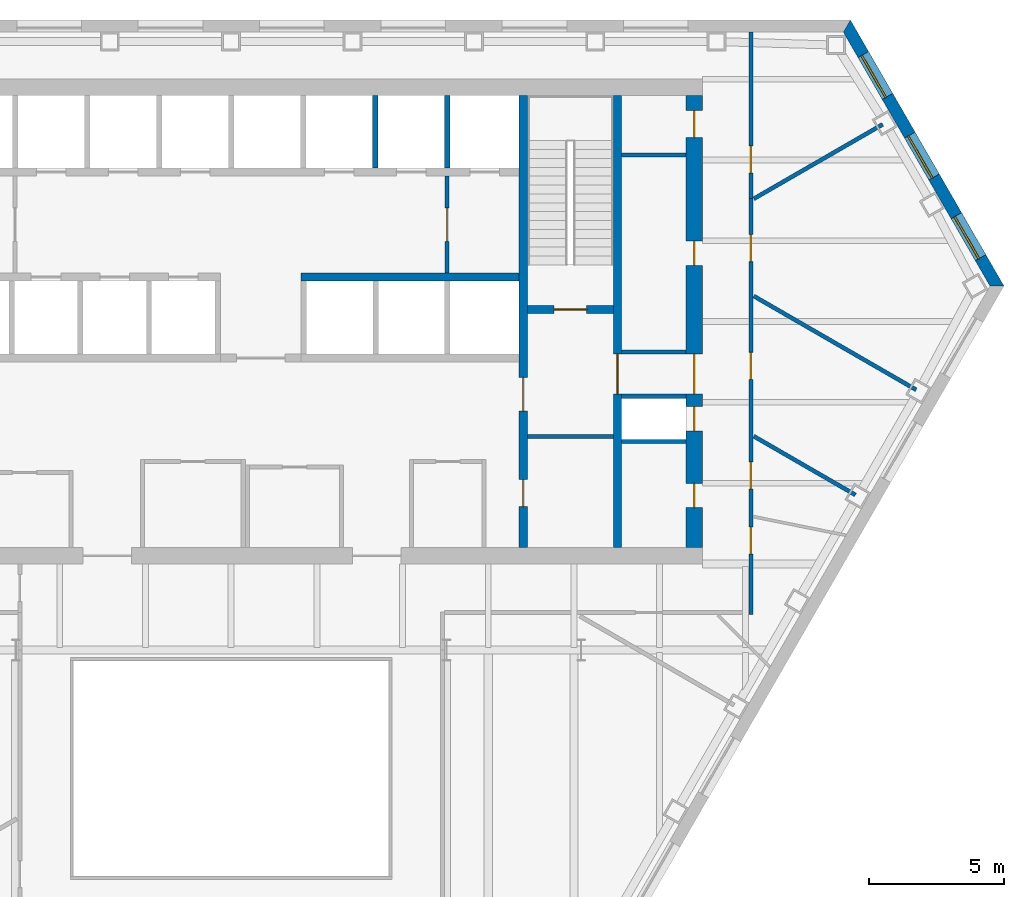
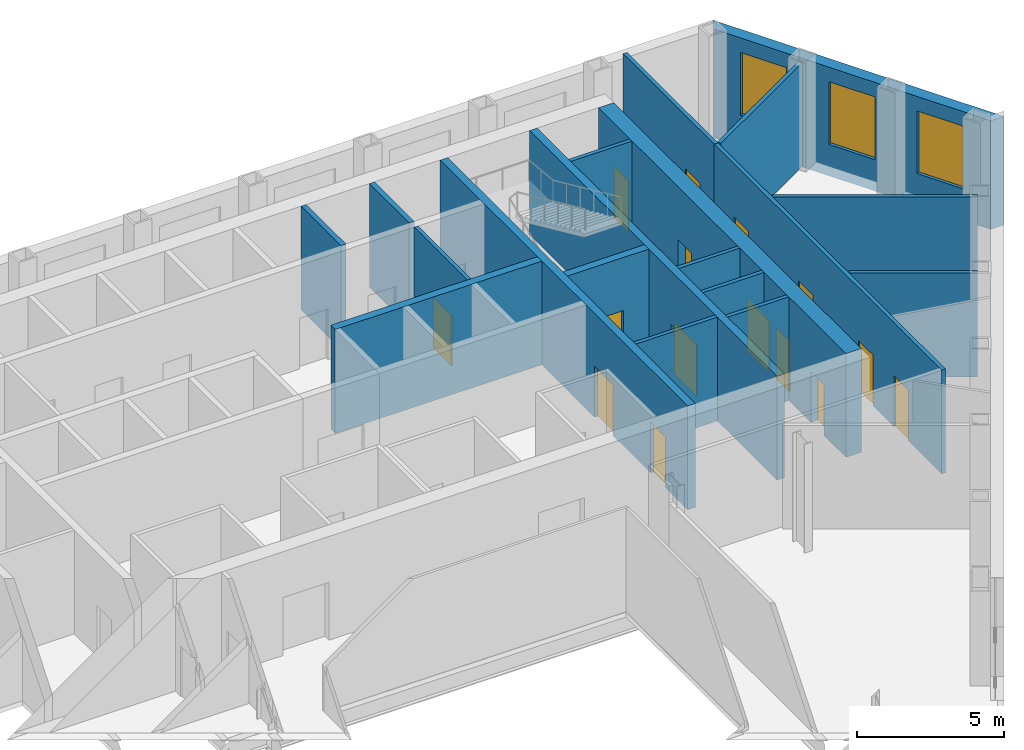
# One storey, part 7 of 10: 19 walls, 15 doors, 3 windows, 18 openings.
"""IFC4 building model written with IfcOpenShell, lengths in metres."""

from ifc_helpers import new_model, si_unit, direction, frame, frame_2d, origin, place, context, subcontext, project, spatial, polyline, rectangle, outline, extrude, material, layer, layer_set, type_object, element, fill, save


model = new_model("IFC4")

# Units and contexts
model_context = context("Model", 3, precision=1e-05, world=origin(), true_north=direction((0.0, 1.0)))
body_context = subcontext(model_context, "Body", "Model", "MODEL_VIEW")
ifc_project = project(units=[si_unit("LENGTHUNIT", "METRE"), si_unit("AREAUNIT", "SQUARE_METRE"), si_unit("VOLUMEUNIT", "CUBIC_METRE"), si_unit("PLANEANGLEUNIT", "RADIAN"), si_unit("MASSUNIT", "GRAM", prefix="KILO")], contexts=[model_context])

# Site, building, storey
site_placement = place(None, origin())
site = spatial("IfcSite", under=ifc_project, at=site_placement, CompositionType="ELEMENT")
building_placement = place(site_placement, origin())
building = spatial("IfcBuilding", under=site, at=building_placement, Name="Njiva Tower", CompositionType="ELEMENT")
storey_placement = place(building_placement, frame((0.0, 0.0, 55.8)))
storey = spatial("IfcBuildingStorey", under=building, at=storey_placement, Name="L11", CompositionType="ELEMENT", Elevation=55.8)

# Walls
ifc_material_1 = material(Name="Blockwork", Category="masonry")
ifc_layer_1 = layer(ifc_material_1, 0.15)
ifc_layer_set_1 = layer_set([ifc_layer_1], Name="Blockwork")
wall_type_1 = type_object("IfcWallType", Name="WT1 Compartment partition 150", PredefinedType="PARTITIONING", material=ifc_layer_set_1)
wall_1_placement = place(storey_placement, frame((11.0, 4.725, 0.0), z_axis=(0.0, 0.0, 1.0), x_axis=(1.0, 0.0, 0.0)))
element("IfcWall", 1, at=wall_1_placement, inside=storey, type_object=wall_type_1, Name="Room wall B", PredefinedType="PARTITIONING", context=body_context, shape_type="SweptSolid", body=[
    extrude(rectangle(XDim=3.2, YDim=0.15, at=frame_2d((1.6, 0.0))), origin(), (0.0, 0.0, 1.0), 4.3),
])
wall_2_placement = place(storey_placement, frame((14.5, 15.1914, 0.0), z_axis=(0.0, 0.0, 1.0), x_axis=(1.0, 0.0, 0.0)))
element("IfcWall", 2, at=wall_2_placement, inside=storey, type_object=wall_type_1, Name="Partition strip E10", PredefinedType="PARTITIONING", context=body_context, shape_type="SweptSolid", body=[
    extrude(rectangle(XDim=2.4, YDim=0.15, at=frame_2d((1.2, 0.0))), origin(), (0.0, 0.0, 1.0), 4.3),
])

# Wall, openings, doors
ifc_material_2 = material(Name="Concrete C40/50", Category="concrete")
ifc_layer_2 = layer(ifc_material_2, 0.3)
ifc_layer_set_2 = layer_set([ifc_layer_2], Name="Concrete C40/50")
wall_type_2 = type_object("IfcWallType", Name="WT10 Stair enclosure wall 300", PredefinedType="SHEAR", material=ifc_layer_set_2)
wall_3_placement = place(storey_placement, frame((10.85, 0.6, 0.0), z_axis=(0.0, 0.0, 1.0), x_axis=(0.0, 1.0, 0.0)))
wall_3 = element("IfcWall", 3, at=wall_3_placement, inside=storey, type_object=wall_type_2, Name="Stair wall east inner", PredefinedType="SHEAR", context=body_context, shape_type="SweptSolid", body=[
    extrude(rectangle(XDim=16.8, YDim=0.3, at=frame_2d((8.4, 0.0))), origin(), (0.0, 0.0, 1.0), 4.3),
])
opening_1_placement = place(wall_3_placement, frame((5.075, 0.0, 0.0)))
opening_1 = element("IfcOpeningElement", 4, at=opening_1_placement, cuts=wall_3, Name="Opening S03-D918", PredefinedType="OPENING", context=body_context, shape_type="SweptSolid", body=[
    extrude(rectangle(XDim=1.25, YDim=2.1, at=frame_2d((0.625, 1.05))), frame((0.0, 0.16, 0.0), z_axis=(0.0, -1.0, 0.0), x_axis=(1.0, 0.0, 0.0)), (0.0, 0.0, 1.0), 0.32),
])
opening_2_placement = place(wall_3_placement, frame((1.525, 0.0, 0.0)))
opening_2 = element("IfcOpeningElement", 5, at=opening_2_placement, cuts=wall_3, Name="Opening S03-D919", PredefinedType="OPENING", context=body_context, shape_type="SweptSolid", body=[
    extrude(rectangle(XDim=1.0, YDim=2.1, at=frame_2d((0.5, 1.05))), frame((0.0, 0.16, 0.0), z_axis=(0.0, -1.0, 0.0), x_axis=(1.0, 0.0, 0.0)), (0.0, 0.0, 1.0), 0.32),
])
ifc_material_3 = material(Name="Steel door, painted", Category="steel")
door_type_1 = type_object("IfcDoorType", Name="D5 Steel door 1000x2100", OperationType="SINGLE_SWING_LEFT", PredefinedType="DOOR", material=ifc_material_3)
door_1_placement = place(opening_2_placement, origin())
door_1 = element("IfcDoor", 6, at=door_1_placement, inside=storey, type_object=door_type_1, Name="Reading room door", OperationType="SINGLE_SWING_LEFT", OverallHeight=2.1, OverallWidth=1.0, PredefinedType="DOOR", context=body_context, shape_type="SweptSolid", body=[
    extrude(rectangle(XDim=1.0, YDim=2.1, at=frame_2d((0.5, 1.05))), frame((0.0, 0.025, 0.0), z_axis=(0.0, -1.0, 0.0), x_axis=(1.0, 0.0, 0.0)), (0.0, 0.0, 1.0), 0.05),
])
fill(opening_2, door_1)
ifc_material_4 = material(Name="Glazed steel fire door", Category="steel")
door_type_2 = type_object("IfcDoorType", Name="D8 Vestibule corridor door 1250x2100 glazed", OperationType="SINGLE_SWING_LEFT", PredefinedType="DOOR", material=ifc_material_4)
door_2_placement = place(opening_1_placement, origin())
door_2 = element("IfcDoor", 7, at=door_2_placement, inside=storey, type_object=door_type_2, Name="Stair vestibule corridor door", OperationType="SINGLE_SWING_RIGHT", OverallHeight=2.1, OverallWidth=1.25, PredefinedType="DOOR", context=body_context, shape_type="SweptSolid", body=[
    extrude(rectangle(XDim=1.25, YDim=2.1, at=frame_2d((0.625, 1.05))), frame((0.0, 0.025, 0.0), z_axis=(0.0, -1.0, 0.0), x_axis=(1.0, 0.0, 0.0)), (0.0, 0.0, 1.0), 0.05),
])
fill(opening_1, door_2)

# Wall, opening, door
wall_4_placement = place(storey_placement, frame((14.35, 0.6, 0.0), z_axis=(0.0, 0.0, 1.0), x_axis=(0.0, 1.0, 0.0)))
wall_4 = element("IfcWall", 8, at=wall_4_placement, inside=storey, type_object=wall_type_2, Name="Stair wall east outer", PredefinedType="SHEAR", context=body_context, shape_type="SweptSolid", body=[
    extrude(rectangle(XDim=16.8, YDim=0.3, at=frame_2d((8.4, 0.0))), origin(), (0.0, 0.0, 1.0), 4.3),
])
opening_3_placement = place(wall_4_placement, frame((5.7, 0.0, 0.0)))
opening_3 = element("IfcOpeningElement", 9, at=opening_3_placement, cuts=wall_4, Name="Opening S03-D926", PredefinedType="OPENING", context=body_context, shape_type="SweptSolid", body=[
    extrude(rectangle(XDim=1.5, YDim=2.1, at=frame_2d((0.75, 1.05))), frame((0.0, 0.16, 0.0), z_axis=(0.0, -1.0, 0.0), x_axis=(1.0, 0.0, 0.0)), (0.0, 0.0, 1.0), 0.32),
])
door_type_3 = type_object("IfcDoorType", Name="D10 Exit door double 1500x2100 glazed", OperationType="DOUBLE_DOOR_SINGLE_SWING", PredefinedType="DOOR", material=ifc_material_4)
door_3_placement = place(opening_3_placement, origin())
door_3 = element("IfcDoor", 10, at=door_3_placement, inside=storey, type_object=door_type_3, Name="Stair B passage door", OperationType="DOUBLE_DOOR_SINGLE_SWING", OverallHeight=2.1, OverallWidth=1.5, PredefinedType="DOOR", context=body_context, shape_type="SweptSolid", body=[
    extrude(rectangle(XDim=1.5, YDim=2.1, at=frame_2d((0.75, 1.05))), frame((0.0, 0.025, 0.0), z_axis=(0.0, -1.0, 0.0), x_axis=(1.0, 0.0, 0.0)), (0.0, 0.0, 1.0), 0.05),
])
fill(opening_3, door_3)

wall_5_placement = place(storey_placement, frame((11.0, 9.45, 0.0), z_axis=(0.0, 0.0, 1.0), x_axis=(1.0, 0.0, 0.0)))
wall_5 = element("IfcWall", 11, at=wall_5_placement, inside=storey, type_object=wall_type_2, Name="Stair B south wall", PredefinedType="SHEAR", context=body_context, shape_type="SweptSolid", body=[
    extrude(rectangle(XDim=3.2, YDim=0.3, at=frame_2d((1.6, 0.0))), origin(), (0.0, 0.0, 1.0), 4.3),
])
opening_4_placement = place(wall_5_placement, frame((1.0, 0.0, 0.0)))
opening_4 = element("IfcOpeningElement", 12, at=opening_4_placement, cuts=wall_5, Name="Opening S03-D917", PredefinedType="OPENING", context=body_context, shape_type="SweptSolid", body=[
    extrude(rectangle(XDim=1.2, YDim=2.1, at=frame_2d((0.6, 1.05))), frame((0.0, 0.16, 0.0), z_axis=(0.0, -1.0, 0.0), x_axis=(1.0, 0.0, 0.0)), (0.0, 0.0, 1.0), 0.32),
])
door_type_4 = type_object("IfcDoorType", Name="D7 Stair vestibule door 1200x2100 glazed", OperationType="SINGLE_SWING_LEFT", PredefinedType="DOOR", material=ifc_material_4)
door_4_placement = place(opening_4_placement, origin())
door_4 = element("IfcDoor", 13, at=door_4_placement, inside=storey, type_object=door_type_4, Name="Stair B door", OperationType="SINGLE_SWING_LEFT", OverallHeight=2.1, OverallWidth=1.2, PredefinedType="DOOR", context=body_context, shape_type="SweptSolid", body=[
    extrude(rectangle(XDim=1.2, YDim=2.1, at=frame_2d((0.6, 1.05))), frame((0.0, 0.025, 0.0), z_axis=(0.0, -1.0, 0.0), x_axis=(1.0, 0.0, 0.0)), (0.0, 0.0, 1.0), 0.05),
])
fill(opening_4, door_4)

# Wall, openings, doors
ifc_material_5 = material(Name="Concrete C60/75", Category="concrete")
ifc_layer_3 = layer(ifc_material_5, 0.6)
ifc_layer_set_3 = layer_set([ifc_layer_3], Name="Concrete C60/75")
wall_type_3 = type_object("IfcWallType", Name="WT15 Core wall 600", PredefinedType="SHEAR", material=ifc_layer_set_3)
wall_6_placement = place(storey_placement, frame((17.2, 0.6, 0.0), z_axis=(0.0, 0.0, 1.0), x_axis=(0.0, 1.0, 0.0)))
wall_6 = element("IfcWall", 14, at=wall_6_placement, inside=storey, type_object=wall_type_3, Name="Core wall east", PredefinedType="SHEAR", context=body_context, shape_type="SweptSolid", body=[
    extrude(rectangle(XDim=16.8, YDim=0.6, at=frame_2d((8.4, 0.0))), origin(), (0.0, 0.0, 1.0), 4.3),
])
opening_5_placement = place(wall_6_placement, frame((5.7, 0.0, 0.0)))
opening_5 = element("IfcOpeningElement", 15, at=opening_5_placement, cuts=wall_6, Name="Opening S03-D927", PredefinedType="OPENING", context=body_context, shape_type="SweptSolid", body=[
    extrude(rectangle(XDim=1.5, YDim=2.1, at=frame_2d((0.75, 1.05))), frame((0.0, 0.31, 0.0), z_axis=(0.0, -1.0, 0.0), x_axis=(1.0, 0.0, 0.0)), (0.0, 0.0, 1.0), 0.62),
])
opening_6_placement = place(wall_6_placement, frame((1.4885, 0.0, 0.0)))
opening_6 = element("IfcOpeningElement", 16, at=opening_6_placement, cuts=wall_6, Name="Opening S03-D928", PredefinedType="OPENING", context=body_context, shape_type="SweptSolid", body=[
    extrude(rectangle(XDim=0.9, YDim=2.1, at=frame_2d((0.45, 1.05))), frame((0.0, 0.31, 0.0), z_axis=(0.0, -1.0, 0.0), x_axis=(1.0, 0.0, 0.0)), (0.0, 0.0, 1.0), 0.62),
])
opening_7_placement = place(wall_6_placement, frame((4.3385, 0.0, 0.0)))
opening_7 = element("IfcOpeningElement", 17, at=opening_7_placement, cuts=wall_6, Name="Opening S03-D929", PredefinedType="OPENING", context=body_context, shape_type="SweptSolid", body=[
    extrude(rectangle(XDim=0.9, YDim=2.1, at=frame_2d((0.45, 1.05))), frame((0.0, 0.31, 0.0), z_axis=(0.0, -1.0, 0.0), x_axis=(1.0, 0.0, 0.0)), (0.0, 0.0, 1.0), 0.62),
])
opening_8_placement = place(wall_6_placement, frame((10.4832, 0.0, 0.0)))
opening_8 = element("IfcOpeningElement", 18, at=opening_8_placement, cuts=wall_6, Name="Opening S03-D930", PredefinedType="OPENING", context=body_context, shape_type="SweptSolid", body=[
    extrude(rectangle(XDim=0.9, YDim=2.1, at=frame_2d((0.45, 1.05))), frame((0.0, 0.31, 0.0), z_axis=(0.0, -1.0, 0.0), x_axis=(1.0, 0.0, 0.0)), (0.0, 0.0, 1.0), 0.62),
])
opening_9_placement = place(wall_6_placement, frame((15.2332, 0.0, 0.0)))
opening_9 = element("IfcOpeningElement", 19, at=opening_9_placement, cuts=wall_6, Name="Opening S03-D931", PredefinedType="OPENING", context=body_context, shape_type="SweptSolid", body=[
    extrude(rectangle(XDim=1.0, YDim=2.1, at=frame_2d((0.5, 1.05))), frame((0.0, 0.31, 0.0), z_axis=(0.0, -1.0, 0.0), x_axis=(1.0, 0.0, 0.0)), (0.0, 0.0, 1.0), 0.62),
])
door_5_placement = place(opening_5_placement, origin())
door_5 = element("IfcDoor", 20, at=door_5_placement, inside=storey, type_object=door_type_3, Name="Stair B corridor door", OperationType="DOUBLE_DOOR_SINGLE_SWING", OverallHeight=2.1, OverallWidth=1.5, PredefinedType="DOOR", context=body_context, shape_type="SweptSolid", body=[
    extrude(rectangle(XDim=1.5, YDim=2.1, at=frame_2d((0.75, 1.05))), frame((0.0, 0.025, 0.0), z_axis=(0.0, -1.0, 0.0), x_axis=(1.0, 0.0, 0.0)), (0.0, 0.0, 1.0), 0.05),
])
fill(opening_5, door_5)
door_type_5 = type_object("IfcDoorType", Name="D4 Riser door 900x2100", OperationType="SINGLE_SWING_LEFT", PredefinedType="DOOR", material=ifc_material_3)
door_6_placement = place(opening_7_placement, origin())
door_6 = element("IfcDoor", 21, at=door_6_placement, inside=storey, type_object=door_type_5, Name="Riser door", OperationType="SINGLE_SWING_LEFT", OverallHeight=2.1, OverallWidth=0.9, PredefinedType="DOOR", context=body_context, shape_type="SweptSolid", body=[
    extrude(rectangle(XDim=0.9, YDim=2.1, at=frame_2d((0.45, 1.05))), frame((0.0, 0.025, 0.0), z_axis=(0.0, -1.0, 0.0), x_axis=(1.0, 0.0, 0.0)), (0.0, 0.0, 1.0), 0.05),
])
fill(opening_7, door_6)
door_7_placement = place(opening_9_placement, origin())
door_7 = element("IfcDoor", 22, at=door_7_placement, inside=storey, type_object=door_type_1, Name="Telecoms room door", OperationType="SINGLE_SWING_LEFT", OverallHeight=2.1, OverallWidth=1.0, PredefinedType="DOOR", context=body_context, shape_type="SweptSolid", body=[
    extrude(rectangle(XDim=1.0, YDim=2.1, at=frame_2d((0.5, 1.05))), frame((0.0, 0.025, 0.0), z_axis=(0.0, -1.0, 0.0), x_axis=(1.0, 0.0, 0.0)), (0.0, 0.0, 1.0), 0.05),
])
fill(opening_9, door_7)
ifc_material_6 = material(Name="Steel fire door, painted", Category="steel")
door_type_6 = type_object("IfcDoorType", Name="D6 Fire-rated door 900x2100", OperationType="SINGLE_SWING_LEFT", PredefinedType="DOOR", material=ifc_material_6)
door_8_placement = place(opening_6_placement, origin())
door_8 = element("IfcDoor", 23, at=door_8_placement, inside=storey, type_object=door_type_6, Name="Reading room door", OperationType="SINGLE_SWING_RIGHT", OverallHeight=2.1, OverallWidth=0.9, PredefinedType="DOOR", context=body_context, shape_type="SweptSolid", body=[
    extrude(rectangle(XDim=0.9, YDim=2.1, at=frame_2d((0.45, 1.05))), frame((0.0, 0.025, 0.0), z_axis=(0.0, -1.0, 0.0), x_axis=(1.0, 0.0, 0.0)), (0.0, 0.0, 1.0), 0.05),
])
fill(opening_6, door_8)
door_9_placement = place(opening_8_placement, origin())
door_9 = element("IfcDoor", 24, at=door_9_placement, inside=storey, type_object=door_type_6, Name="Tenant centre door", OperationType="SINGLE_SWING_LEFT", OverallHeight=2.1, OverallWidth=0.9, PredefinedType="DOOR", context=body_context, shape_type="SweptSolid", body=[
    extrude(rectangle(XDim=0.9, YDim=2.1, at=frame_2d((0.45, 1.05))), frame((0.0, 0.025, 0.0), z_axis=(0.0, -1.0, 0.0), x_axis=(1.0, 0.0, 0.0)), (0.0, 0.0, 1.0), 0.05),
])
fill(opening_8, door_9)

# Wall, opening, door
ifc_layer_4 = layer(ifc_material_1, 0.15)
ifc_layer_set_4 = layer_set([ifc_layer_4], Name="Blockwork")
wall_type_4 = type_object("IfcWallType", Name="WT2 Lobby partition 150", PredefinedType="PARTITIONING", material=ifc_layer_set_4)
wall_7_placement = place(storey_placement, frame((8.025, 10.8, 0.0), z_axis=(0.0, 0.0, 1.0), x_axis=(0.0, 1.0, 0.0)))
wall_7 = element("IfcWall", 25, at=wall_7_placement, inside=storey, type_object=wall_type_4, Name="Firefighting lobby wall B", PredefinedType="PARTITIONING", context=body_context, shape_type="SweptSolid", body=[
    extrude(rectangle(XDim=3.6, YDim=0.15, at=frame_2d((1.8, 0.0))), origin(), (0.0, 0.0, 1.0), 4.3),
])
opening_10_placement = place(wall_7_placement, frame((1.175, 0.0, 0.0)))
opening_10 = element("IfcOpeningElement", 26, at=opening_10_placement, cuts=wall_7, Name="Opening S03-D916", PredefinedType="OPENING", context=body_context, shape_type="SweptSolid", body=[
    extrude(rectangle(XDim=1.25, YDim=2.1, at=frame_2d((0.625, 1.05))), frame((0.0, 0.085, 0.0), z_axis=(0.0, -1.0, 0.0), x_axis=(1.0, 0.0, 0.0)), (0.0, 0.0, 1.0), 0.17),
])
door_10_placement = place(opening_10_placement, origin())
door_10 = element("IfcDoor", 27, at=door_10_placement, inside=storey, type_object=door_type_2, Name="Stair vestibule corridor door", OperationType="SINGLE_SWING_LEFT", OverallHeight=2.1, OverallWidth=1.25, PredefinedType="DOOR", context=body_context, shape_type="SweptSolid", body=[
    extrude(rectangle(XDim=1.25, YDim=2.1, at=frame_2d((0.625, 1.05))), frame((0.0, 0.025, 0.0), z_axis=(0.0, -1.0, 0.0), x_axis=(1.0, 0.0, 0.0)), (0.0, 0.0, 1.0), 0.05),
])
fill(opening_10, door_10)

# Wall, openings, doors
ifc_material_7 = material(Name="Gypsum board on steel studs", Category="gypsum")
ifc_layer_5 = layer(ifc_material_7, 0.15)
ifc_layer_set_5 = layer_set([ifc_layer_5], Name="Gypsum board on steel studs")
wall_type_5 = type_object("IfcWallType", Name="WT21 Compartment wall 150", PredefinedType="PARTITIONING", material=ifc_layer_set_5)
wall_8_placement = place(storey_placement, frame((19.3, -1.875, 0.0), z_axis=(0.0, 0.0, 1.0), x_axis=(6.4750065e-05, 0.999999997904, 0.0)))
wall_8 = element("IfcWall", 28, at=wall_8_placement, inside=storey, type_object=wall_type_5, Name="Partition S03-P016", PredefinedType="PARTITIONING", context=body_context, shape_type="SweptSolid", body=[
    extrude(rectangle(XDim=15.444, YDim=0.15, at=frame_2d((7.722, 0.0))), origin(), (0.0, 0.0, 1.0), 4.3),
])
opening_11_placement = place(wall_8_placement, frame((2.242, 0.0, 0.0)))
opening_11 = element("IfcOpeningElement", 29, at=opening_11_placement, cuts=wall_8, Name="Opening S03-D009", PredefinedType="OPENING", context=body_context, shape_type="SweptSolid", body=[
    extrude(rectangle(XDim=1.0, YDim=2.1, at=frame_2d((0.5, 1.05))), frame((0.0, 0.085, 0.0), z_axis=(0.0, -1.0, 0.0), x_axis=(1.0, 0.0, 0.0)), (0.0, 0.0, 1.0), 0.17),
])
opening_12_placement = place(wall_8_placement, frame((4.664, 0.0, 0.0)))
opening_12 = element("IfcOpeningElement", 30, at=opening_12_placement, cuts=wall_8, Name="Opening S03-D010", PredefinedType="OPENING", context=body_context, shape_type="SweptSolid", body=[
    extrude(rectangle(XDim=1.0, YDim=2.1, at=frame_2d((0.5, 1.05))), frame((0.0, 0.085, 0.0), z_axis=(0.0, -1.0, 0.0), x_axis=(1.0, 0.0, 0.0)), (0.0, 0.0, 1.0), 0.17),
])
opening_13_placement = place(wall_8_placement, frame((8.732, 0.0, 0.0)))
opening_13 = element("IfcOpeningElement", 31, at=opening_13_placement, cuts=wall_8, Name="Opening S03-D011", PredefinedType="OPENING", context=body_context, shape_type="SweptSolid", body=[
    extrude(rectangle(XDim=1.0, YDim=2.1, at=frame_2d((0.5, 1.05))), frame((0.0, 0.085, 0.0), z_axis=(0.0, -1.0, 0.0), x_axis=(1.0, 0.0, 0.0)), (0.0, 0.0, 1.0), 0.17),
])
opening_14_placement = place(wall_8_placement, frame((13.102, 0.0, 0.0)))
opening_14 = element("IfcOpeningElement", 32, at=opening_14_placement, cuts=wall_8, Name="Opening S03-D012", PredefinedType="OPENING", context=body_context, shape_type="SweptSolid", body=[
    extrude(rectangle(XDim=1.0, YDim=2.1, at=frame_2d((0.5, 1.05))), frame((0.0, 0.085, 0.0), z_axis=(0.0, -1.0, 0.0), x_axis=(1.0, 0.0, 0.0)), (0.0, 0.0, 1.0), 0.17),
])
ifc_material_8 = material(Name="Steel fire door set", Category="steel")
door_type_7 = type_object("IfcDoorType", Name="D37 Fire door 1000x2100", OperationType="SINGLE_SWING_LEFT", PredefinedType="DOOR", material=ifc_material_8)
door_11_placement = place(opening_11_placement, origin())
door_11 = element("IfcDoor", 33, at=door_11_placement, inside=storey, type_object=door_type_7, Name="Door S03-D009", OperationType="SINGLE_SWING_LEFT", OverallHeight=2.1, OverallWidth=1.0, PredefinedType="DOOR", context=body_context, shape_type="SweptSolid", body=[
    extrude(rectangle(XDim=1.0, YDim=2.1, at=frame_2d((0.5, 1.05))), frame((0.0, 0.025, 0.0), z_axis=(0.0, -1.0, 0.0), x_axis=(1.0, 0.0, 0.0)), (0.0, 0.0, 1.0), 0.05),
])
fill(opening_11, door_11)
door_12_placement = place(opening_12_placement, origin())
door_12 = element("IfcDoor", 34, at=door_12_placement, inside=storey, type_object=door_type_7, Name="Door S03-D010", OperationType="SINGLE_SWING_LEFT", OverallHeight=2.1, OverallWidth=1.0, PredefinedType="DOOR", context=body_context, shape_type="SweptSolid", body=[
    extrude(rectangle(XDim=1.0, YDim=2.1, at=frame_2d((0.5, 1.05))), frame((0.0, 0.025, 0.0), z_axis=(0.0, -1.0, 0.0), x_axis=(1.0, 0.0, 0.0)), (0.0, 0.0, 1.0), 0.05),
])
fill(opening_12, door_12)
door_13_placement = place(opening_13_placement, origin())
door_13 = element("IfcDoor", 35, at=door_13_placement, inside=storey, type_object=door_type_7, Name="Door S03-D011", OperationType="SINGLE_SWING_RIGHT", OverallHeight=2.1, OverallWidth=1.0, PredefinedType="DOOR", context=body_context, shape_type="SweptSolid", body=[
    extrude(rectangle(XDim=1.0, YDim=2.1, at=frame_2d((0.5, 1.05))), frame((0.0, 0.025, 0.0), z_axis=(0.0, -1.0, 0.0), x_axis=(1.0, 0.0, 0.0)), (0.0, 0.0, 1.0), 0.05),
])
fill(opening_13, door_13)
door_14_placement = place(opening_14_placement, origin())
door_14 = element("IfcDoor", 36, at=door_14_placement, inside=storey, type_object=door_type_7, Name="Door S03-D012", OperationType="SINGLE_SWING_RIGHT", OverallHeight=2.1, OverallWidth=1.0, PredefinedType="DOOR", context=body_context, shape_type="SweptSolid", body=[
    extrude(rectangle(XDim=1.0, YDim=2.1, at=frame_2d((0.5, 1.05))), frame((0.0, 0.025, 0.0), z_axis=(0.0, -1.0, 0.0), x_axis=(1.0, 0.0, 0.0)), (0.0, 0.0, 1.0), 0.05),
])
fill(opening_14, door_14)

# Wall, opening, door
wall_9_placement = place(storey_placement, frame((19.3, 19.749, 0.0), z_axis=(0.0, 0.0, 1.0), x_axis=(0.000161812296, -0.999999986908, 0.0)))
wall_9 = element("IfcWall", 37, at=wall_9_placement, inside=storey, type_object=wall_type_5, Name="Partition S03-P017", PredefinedType="PARTITIONING", context=body_context, shape_type="SweptSolid", body=[
    extrude(rectangle(XDim=6.18, YDim=0.15, at=frame_2d((3.09, 0.0))), origin(), (0.0, 0.0, 1.0), 4.3),
])
opening_15_placement = place(wall_9_placement, frame((4.225, 0.0, 0.0)))
opening_15 = element("IfcOpeningElement", 38, at=opening_15_placement, cuts=wall_9, Name="Opening S03-D013", PredefinedType="OPENING", context=body_context, shape_type="SweptSolid", body=[
    extrude(rectangle(XDim=1.0, YDim=2.1, at=frame_2d((0.5, 1.05))), frame((0.0, 0.085, 0.0), z_axis=(0.0, -1.0, 0.0), x_axis=(1.0, 0.0, 0.0)), (0.0, 0.0, 1.0), 0.17),
])
door_15_placement = place(opening_15_placement, origin())
door_15 = element("IfcDoor", 39, at=door_15_placement, inside=storey, type_object=door_type_7, Name="Door S03-D013", OperationType="SINGLE_SWING_LEFT", OverallHeight=2.1, OverallWidth=1.0, PredefinedType="DOOR", context=body_context, shape_type="SweptSolid", body=[
    extrude(rectangle(XDim=1.0, YDim=2.1, at=frame_2d((0.5, 1.05))), frame((0.0, 0.025, 0.0), z_axis=(0.0, -1.0, 0.0), x_axis=(1.0, 0.0, 0.0)), (0.0, 0.0, 1.0), 0.05),
])
fill(opening_15, door_15)

# Walls
wall_10_placement = place(storey_placement, frame((19.413, 4.74, 0.0), z_axis=(0.0, 0.0, 1.0), x_axis=(0.866017446268, -0.50001378257, 0.0)))
element("IfcWall", 40, at=wall_10_placement, inside=storey, type_object=wall_type_5, Name="Partition S03-P019", PredefinedType="PARTITIONING", context=body_context, shape_type="SweptSolid", body=[
    extrude(rectangle(XDim=4.3579, YDim=0.15, at=frame_2d((2.179, 0.0))), origin(), (0.0, 0.0, 1.0), 4.3),
])
wall_11_placement = place(storey_placement, frame((19.413, 9.946, 0.0), z_axis=(0.0, 0.0, 1.0), x_axis=(0.866042039906, -0.499971184285, 0.0)))
element("IfcWall", 41, at=wall_11_placement, inside=storey, type_object=wall_type_5, Name="Partition S03-P020", PredefinedType="PARTITIONING", context=body_context, shape_type="SweptSolid", body=[
    extrude(rectangle(XDim=6.9604, YDim=0.15, at=frame_2d((3.4802, 0.0))), origin(), (0.0, 0.0, 1.0), 4.3),
])
wall_12_placement = place(storey_placement, frame((19.413, 13.56, 0.0), z_axis=(0.0, 0.0, 1.0), x_axis=(0.866040948072, 0.499973075538, 0.0)))
element("IfcWall", 42, at=wall_12_placement, inside=storey, type_object=wall_type_5, Name="Partition S03-P021", PredefinedType="PARTITIONING", context=body_context, shape_type="SweptSolid", body=[
    extrude(rectangle(XDim=5.5263, YDim=0.15, at=frame_2d((2.7632, 0.0))), origin(), (0.0, 0.0, 1.0), 4.3),
])
ifc_layer_6 = layer(ifc_material_1, 0.15)
ifc_layer_set_6 = layer_set([ifc_layer_6], Name="Blockwork")
wall_type_6 = type_object("IfcWallType", Name="WT3 Riser partition 150", PredefinedType="PARTITIONING", material=ifc_layer_set_6)
wall_13_placement = place(storey_placement, frame((14.5, 4.5519, 0.0), z_axis=(0.0, 0.0, 1.0), x_axis=(1.0, 0.0, 0.0)))
element("IfcWall", 43, at=wall_13_placement, inside=storey, type_object=wall_type_6, Name="Partition strip E00", PredefinedType="PARTITIONING", context=body_context, shape_type="SweptSolid", body=[
    extrude(rectangle(XDim=2.4, YDim=0.15, at=frame_2d((1.2, 0.0))), origin(), (0.0, 0.0, 1.0), 4.3),
])
ifc_layer_7 = layer(ifc_material_1, 0.15)
ifc_layer_set_7 = layer_set([ifc_layer_7], Name="Blockwork")
wall_type_7 = type_object("IfcWallType", Name="WT4 Stair partition 150", PredefinedType="PARTITIONING", material=ifc_layer_set_7)
for number, where, z_axis, x_axis, name in (
    (44, (14.5, 6.225, 0.0), (0.0, 0.0, 1.0), (1.0, 0.0, 0.0), "Stair B exit passage wall south"),
    (45, (14.5, 7.875, 0.0), (0.0, 0.0, 1.0), (1.0, 0.0, 0.0), "Stair B exit passage wall north"),
):
    element("IfcWall", number, at=place(storey_placement, frame(where, z_axis=z_axis, x_axis=x_axis)), inside=storey, type_object=wall_type_7, Name=name, PredefinedType="PARTITIONING", context=body_context, shape_type="SweptSolid", body=[
        extrude(rectangle(XDim=2.4, YDim=0.15, at=frame_2d((1.2, 0.0))), origin(), (0.0, 0.0, 1.0), 4.3),
    ])
ifc_layer_8 = layer(ifc_material_2, 0.2)
ifc_layer_set_8 = layer_set([ifc_layer_8], Name="Concrete C40/50")
wall_type_8 = type_object("IfcWallType", Name="WT6 Lift shaft wall 200", PredefinedType="SHEAR", material=ifc_layer_set_8)
for number, where, z_axis, x_axis, name in (
    (46, (5.35, 14.7, 0.0), (0.0, 0.0, 1.0), (0.0, 1.0, 0.0), "Shaft wall CN6"),
    (47, (8.025, 14.7, 0.0), (0.0, 0.0, 1.0), (0.0, 1.0, 0.0), "Shaft wall CN7"),
):
    element("IfcWall", number, at=place(storey_placement, frame(where, z_axis=z_axis, x_axis=x_axis)), inside=storey, type_object=wall_type_8, Name=name, PredefinedType="SHEAR", context=body_context, shape_type="SweptSolid", body=[
        extrude(rectangle(XDim=2.7, YDim=0.2, at=frame_2d((1.35, 0.0))), origin(), (0.0, 0.0, 1.0), 4.3),
    ])
ifc_layer_9 = layer(ifc_material_2, 0.3)
ifc_layer_set_9 = layer_set([ifc_layer_9], Name="Concrete C40/50")
wall_type_9 = type_object("IfcWallType", Name="WT7 Lift shaft wall 300", PredefinedType="SHEAR", material=ifc_layer_set_9)
wall_14_placement = place(storey_placement, frame((2.6, 10.65, 0.0), z_axis=(0.0, 0.0, 1.0), x_axis=(1.0, 0.0, 0.0)))
element("IfcWall", 48, at=wall_14_placement, inside=storey, type_object=wall_type_9, Name="Shaft wall south row lobby side E", PredefinedType="SHEAR", context=body_context, shape_type="SweptSolid", body=[
    extrude(rectangle(XDim=8.1, YDim=0.3, at=frame_2d((4.05, 0.0))), origin(), (0.0, 0.0, 1.0), 4.3),
])

# Wall, openings, windows
ifc_material_9 = material(Name="Brick masonry, buff", Category="masonry")
ifc_layer_10 = layer(ifc_material_9, 0.45)
ifc_layer_set_10 = layer_set([ifc_layer_10], Name="Brick masonry, buff")
wall_type_10 = type_object("IfcWallType", Name="WT94 Brick pier and spandrel wall 450, buff", PredefinedType="SOLIDWALL", material=ifc_layer_set_10)
wall_15_placement = place(storey_placement, frame((28.4452, 10.3187, -0.4), z_axis=(0.0, 0.0, 1.0), x_axis=(-0.500002192499, 0.866024137941, 0.0)))
wall_15 = element("IfcWall", 49, at=wall_15_placement, inside=storey, type_object=wall_type_10, Name="Facade wall NE", PredefinedType="SOLIDWALL", context=body_context, shape_type="SweptSolid", body=[
    extrude(outline(polyline([(-0.1299, -0.225), (11.2801, -0.225), (11.0203, 0.225), (0.1299, 0.225), (-0.1299, -0.225)])), origin(), (0.0, 0.0, 1.0), 4.5),
])
opening_16_placement = place(wall_15_placement, frame((1.2181, 0.0, 1.3)))
opening_16 = element("IfcOpeningElement", 50, at=opening_16_placement, cuts=wall_15, Name="Opening S03-W33", PredefinedType="OPENING", context=body_context, shape_type="SweptSolid", body=[
    extrude(rectangle(XDim=1.8, YDim=2.6, at=frame_2d((0.9, 1.3))), frame((0.0, 0.235, 0.0), z_axis=(0.0, -1.0, 0.0), x_axis=(1.0, 0.0, 0.0)), (0.0, 0.0, 1.0), 0.47),
])
opening_17_placement = place(wall_15_placement, frame((4.6751, 0.0, 1.3)))
opening_17 = element("IfcOpeningElement", 51, at=opening_17_placement, cuts=wall_15, Name="Opening S03-W34", PredefinedType="OPENING", context=body_context, shape_type="SweptSolid", body=[
    extrude(rectangle(XDim=1.8, YDim=2.6, at=frame_2d((0.9, 1.3))), frame((0.0, 0.235, 0.0), z_axis=(0.0, -1.0, 0.0), x_axis=(1.0, 0.0, 0.0)), (0.0, 0.0, 1.0), 0.47),
])
opening_18_placement = place(wall_15_placement, frame((8.1321, 0.0, 1.3)))
opening_18 = element("IfcOpeningElement", 52, at=opening_18_placement, cuts=wall_15, Name="Opening S03-W35", PredefinedType="OPENING", context=body_context, shape_type="SweptSolid", body=[
    extrude(rectangle(XDim=1.8, YDim=2.6, at=frame_2d((0.9, 1.3))), frame((0.0, 0.235, 0.0), z_axis=(0.0, -1.0, 0.0), x_axis=(1.0, 0.0, 0.0)), (0.0, 0.0, 1.0), 0.47),
])
ifc_material_10 = material(Name="Clear glazing in aluminium frame", Category="aluminium")
window_type = type_object("IfcWindowType", Name="W96 Deep-set window 1800x2600", PartitioningType="SINGLE_PANEL", PredefinedType="WINDOW", material=ifc_material_10)
window_1_placement = place(opening_16_placement, origin())
window_1 = element("IfcWindow", 53, at=window_1_placement, inside=storey, type_object=window_type, Name="Window", OverallHeight=2.6, OverallWidth=1.8, PartitioningType="SINGLE_PANEL", PredefinedType="WINDOW", context=body_context, shape_type="SweptSolid", body=[
    extrude(rectangle(XDim=1.8, YDim=2.6, at=frame_2d((0.9, 1.3))), frame((0.0, 0.105, 0.0), z_axis=(0.0, -1.0, 0.0), x_axis=(1.0, 0.0, 0.0)), (0.0, 0.0, 1.0), 0.06),
])
fill(opening_16, window_1)
window_2_placement = place(opening_17_placement, origin())
window_2 = element("IfcWindow", 54, at=window_2_placement, inside=storey, type_object=window_type, Name="Window", OverallHeight=2.6, OverallWidth=1.8, PartitioningType="SINGLE_PANEL", PredefinedType="WINDOW", context=body_context, shape_type="SweptSolid", body=[
    extrude(rectangle(XDim=1.8, YDim=2.6, at=frame_2d((0.9, 1.3))), frame((0.0, 0.105, 0.0), z_axis=(0.0, -1.0, 0.0), x_axis=(1.0, 0.0, 0.0)), (0.0, 0.0, 1.0), 0.06),
])
fill(opening_17, window_2)
window_3_placement = place(opening_18_placement, origin())
window_3 = element("IfcWindow", 55, at=window_3_placement, inside=storey, type_object=window_type, Name="Window", OverallHeight=2.6, OverallWidth=1.8, PartitioningType="SINGLE_PANEL", PredefinedType="WINDOW", context=body_context, shape_type="SweptSolid", body=[
    extrude(rectangle(XDim=1.8, YDim=2.6, at=frame_2d((0.9, 1.3))), frame((0.0, 0.105, 0.0), z_axis=(0.0, -1.0, 0.0), x_axis=(1.0, 0.0, 0.0)), (0.0, 0.0, 1.0), 0.06),
])
fill(opening_18, window_3)

save(model, "model.ifc")
